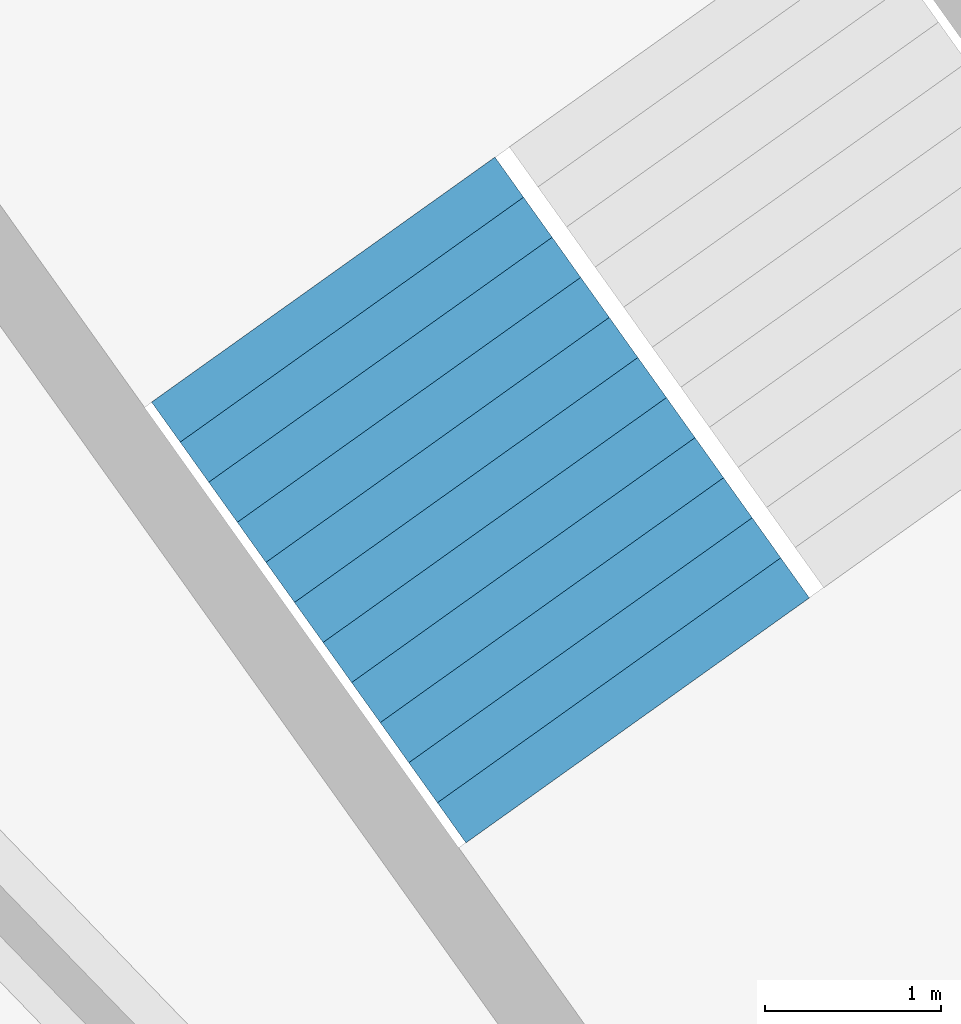
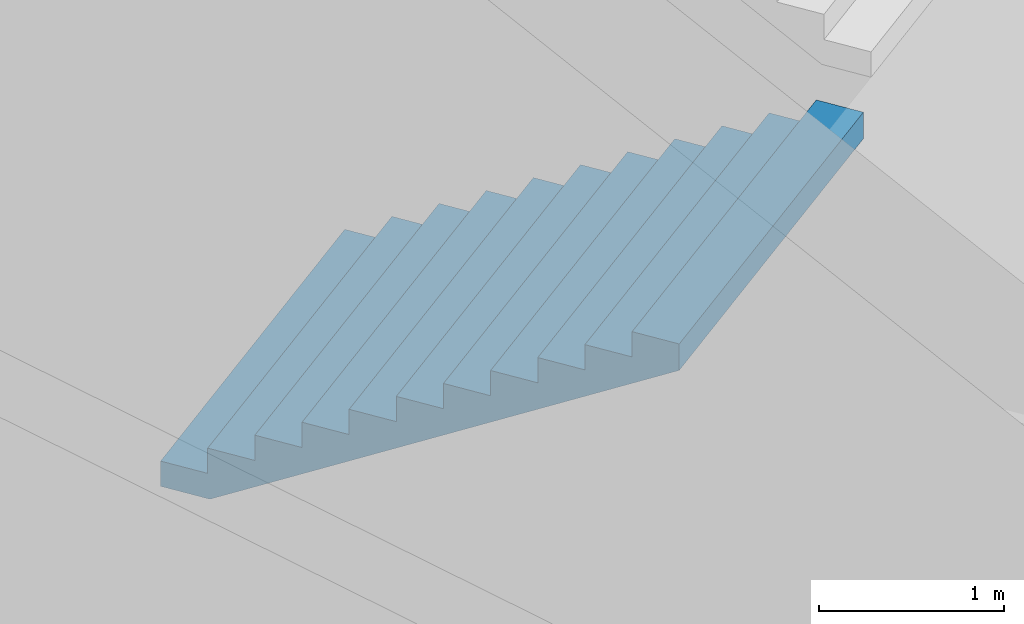
# One storey, part 42 of 74: 1 stair flight, 1 element without a shape of its own.
"""IFC4 building model written with IfcOpenShell, lengths in metres."""

from ifc_helpers import new_model, si_unit, direction, frame, origin, place, context, subcontext, project, spatial, triangles, material, type_object, element, aggregate, save


model = new_model("IFC4")

# Units and contexts
model_context = context("Model", 3, precision=1e-05, world=origin(), true_north=direction((0.0, 1.0)))
body_context = subcontext(model_context, "Body", "Model", "MODEL_VIEW")
ifc_project = project(units=[si_unit("LENGTHUNIT", "METRE"), si_unit("AREAUNIT", "SQUARE_METRE"), si_unit("VOLUMEUNIT", "CUBIC_METRE"), si_unit("PLANEANGLEUNIT", "RADIAN"), si_unit("MASSUNIT", "GRAM", prefix="KILO")], contexts=[model_context])

# Site, building, storey
site_placement = place(None, origin())
site = spatial("IfcSite", under=ifc_project, at=site_placement, CompositionType="ELEMENT")
building_placement = place(site_placement, origin())
building = spatial("IfcBuilding", under=site, at=building_placement, Name="Lantaw Convention Tower", CompositionType="ELEMENT")
storey_placement = place(building_placement, frame((0.0, 0.0, 6.5)))
storey = spatial("IfcBuildingStorey", under=building, at=storey_placement, Name="L01", CompositionType="ELEMENT", Elevation=6.5)

# Stair, stair flight
ifc_material = material(Name="Concrete C35/45", Category="concrete")
stair_type = type_object("IfcStairType", Name="Exit stair 2400 riser 166.67 in 4 flights", PredefinedType="HALF_TURN_STAIR", material=ifc_material)
stair_placement = place(storey_placement, origin())
stair = element("IfcStair", 1, at=stair_placement, inside=storey, type_object=stair_type, Name="Podium exit stair P6 L01", PredefinedType="HALF_TURN_STAIR")
stair_flight_type = type_object("IfcStairFlightType", Name="Stair flight 2400 riser 166.67", PredefinedType="STRAIGHT", material=ifc_material)
stair_flight_placement = place(storey_placement, frame((-20.794189453125, 26.999755859375, 2.0), z_axis=(0.0, 0.0, 1.0), x_axis=(0.580702955711, -0.814115518356, 0.0)))
stair_flight = element("IfcStairFlight", 2, at=stair_flight_placement, type_object=stair_flight_type, Name="P6 flight 2", NumberOfRisers=12, NumberOfTreads=11, PredefinedType="STRAIGHT", RiserHeight=0.166666667, TreadLength=0.28, context=body_context, shape_type="Tessellation", body=[
    triangles([(0.0, 1.199951171875, 0.0), (0.0, 1.199951171875, 0.166666667), (0.28, 1.199951171875, 0.0), (0.28, 1.199951171875, 0.166666667), (0.28, 1.199951171875, 0.333333334), (0.29307345806906726, 1.199951171875, 0.0), (0.29307345806906726, 1.199951171875, 0.333333334), (0.56, 1.199951171875, 0.15888484670522965), (0.56, 1.199951171875, 0.333333334), (0.56, 1.199951171875, 0.500000001), (0.8400000000000001, 1.199951171875, 0.3255515137052296), (0.8400000000000001, 1.199951171875, 0.500000001), (0.8400000000000001, 1.199951171875, 0.666666668), (1.12, 1.199951171875, 0.4922181807052296), (1.12, 1.199951171875, 0.666666668), (1.12, 1.199951171875, 0.833333335), (1.4000000000000001, 1.199951171875, 0.6588848477052296), (1.4000000000000001, 1.199951171875, 0.833333335), (1.4000000000000001, 1.199951171875, 1.000000002), (1.6800000000000002, 1.199951171875, 0.8255515147052296), (1.6800000000000002, 1.199951171875, 1.000000002), (1.6800000000000002, 1.199951171875, 1.166666669), (1.9600000000000002, 1.199951171875, 0.9922181817052296), (1.9600000000000002, 1.199951171875, 1.166666669), (1.9600000000000002, 1.199951171875, 1.333333336), (2.24, 1.199951171875, 1.1588848487052295), (2.24, 1.199951171875, 1.333333336), (2.24, 1.199951171875, 1.5000000029999998), (2.5200000000000005, 1.199951171875, 1.3255515157052296), (2.5200000000000005, 1.199951171875, 1.5000000029999998), (2.5200000000000005, 1.199951171875, 1.66666667), (2.8000000000000003, 1.199951171875, 1.4922181827052294), (2.8000000000000003, 1.199951171875, 1.66666667), (2.8000000000000003, 1.199951171875, 1.833333337), (3.08, 1.199951171875, 1.6588848497052293), (3.08, 1.199951171875, 1.833333337), (0.0, -1.199951171875, 0.0), (0.0, -1.199951171875, 0.166666667), (0.28, -1.199951171875, 0.0), (0.28, -1.199951171875, 0.166666667), (0.28, -1.199951171875, 0.333333334), (0.29307345806906726, -1.199951171875, 0.0), (0.29307345806906726, -1.199951171875, 0.333333334), (0.56, -1.199951171875, 0.15888484670522965), (0.56, -1.199951171875, 0.333333334), (0.56, -1.199951171875, 0.500000001), (0.8400000000000001, -1.199951171875, 0.3255515137052296), (0.8400000000000001, -1.199951171875, 0.500000001), (0.8400000000000001, -1.199951171875, 0.666666668), (1.12, -1.199951171875, 0.4922181807052296), (1.12, -1.199951171875, 0.666666668), (1.12, -1.199951171875, 0.833333335), (1.4000000000000001, -1.199951171875, 0.6588848477052296), (1.4000000000000001, -1.199951171875, 0.833333335), (1.4000000000000001, -1.199951171875, 1.000000002), (1.6800000000000002, -1.199951171875, 0.8255515147052296), (1.6800000000000002, -1.199951171875, 1.000000002), (1.6800000000000002, -1.199951171875, 1.166666669), (1.9600000000000002, -1.199951171875, 0.9922181817052296), (1.9600000000000002, -1.199951171875, 1.166666669), (1.9600000000000002, -1.199951171875, 1.333333336), (2.24, -1.199951171875, 1.1588848487052295), (2.24, -1.199951171875, 1.333333336), (2.24, -1.199951171875, 1.5000000029999998), (2.5200000000000005, -1.199951171875, 1.3255515157052296), (2.5200000000000005, -1.199951171875, 1.5000000029999998), (2.5200000000000005, -1.199951171875, 1.66666667), (2.8000000000000003, -1.199951171875, 1.4922181827052294), (2.8000000000000003, -1.199951171875, 1.66666667), (2.8000000000000003, -1.199951171875, 1.833333337), (3.08, -1.199951171875, 1.6588848497052293), (3.08, -1.199951171875, 1.833333337), (0.0, 0.239990234375, 0.166666667), (0.0, 0.239990234375, 0.0), (0.0, 0.1199951171875, 0.166666667), (0.0, 0.1199951171875, 0.0), (0.0, 0.0, 0.166666667), (0.0, 0.0, 0.0), (0.0, -0.1199951171875, 0.166666667), (0.0, -0.1199951171875, 0.0), (0.0, -0.239990234375, 0.166666667), (0.0, -0.239990234375, 0.0), (0.28, 0.239990234375, 0.333333334), (0.28, 0.239990234375, 0.166666667), (0.28, 0.1199951171875, 0.333333334), (0.28, 0.1199951171875, 0.166666667), (0.28, 0.0, 0.333333334), (0.28, 0.0, 0.166666667), (0.28, -0.1199951171875, 0.333333334), (0.28, -0.1199951171875, 0.166666667), (0.28, -0.239990234375, 0.333333334), (0.28, -0.239990234375, 0.166666667), (0.56, 0.239990234375, 0.500000001), (0.56, 0.239990234375, 0.333333334), (0.56, 0.1199951171875, 0.500000001), (0.56, 0.1199951171875, 0.333333334), (0.56, 0.0, 0.500000001), (0.56, 0.0, 0.333333334), (0.56, -0.1199951171875, 0.500000001), (0.56, -0.1199951171875, 0.333333334), (0.56, -0.239990234375, 0.500000001), (0.56, -0.239990234375, 0.333333334), (0.8400000000000001, 0.239990234375, 0.666666668), (0.8400000000000001, 0.239990234375, 0.500000001), (0.8400000000000001, 0.1199951171875, 0.666666668), (0.8400000000000001, 0.1199951171875, 0.500000001), (0.8400000000000001, 0.0, 0.666666668), (0.8400000000000001, 0.0, 0.500000001), (0.8400000000000001, -0.1199951171875, 0.666666668), (0.8400000000000001, -0.1199951171875, 0.500000001), (0.8400000000000001, -0.239990234375, 0.666666668), (0.8400000000000001, -0.239990234375, 0.500000001), (1.12, 0.239990234375, 0.833333335), (1.12, 0.239990234375, 0.666666668), (1.12, 0.1199951171875, 0.833333335), (1.12, 0.1199951171875, 0.666666668), (1.12, 0.0, 0.833333335), (1.12, 0.0, 0.666666668), (1.12, -0.1199951171875, 0.833333335), (1.12, -0.1199951171875, 0.666666668), (1.12, -0.239990234375, 0.833333335), (1.12, -0.239990234375, 0.666666668), (1.4000000000000001, 0.239990234375, 1.000000002), (1.4000000000000001, 0.239990234375, 0.833333335), (1.4000000000000001, 0.1199951171875, 1.000000002), (1.4000000000000001, 0.1199951171875, 0.833333335), (1.4000000000000001, 0.0, 1.000000002), (1.4000000000000001, 0.0, 0.833333335), (1.4000000000000001, -0.1199951171875, 1.000000002), (1.4000000000000001, -0.1199951171875, 0.833333335), (1.4000000000000001, -0.239990234375, 1.000000002), (1.4000000000000001, -0.239990234375, 0.833333335), (1.6800000000000002, 0.239990234375, 1.166666669), (1.6800000000000002, 0.239990234375, 1.000000002), (1.6800000000000002, 0.1199951171875, 1.166666669), (1.6800000000000002, 0.1199951171875, 1.000000002), (1.6800000000000002, 0.0, 1.166666669), (1.6800000000000002, 0.0, 1.000000002), (1.6800000000000002, -0.1199951171875, 1.166666669), (1.6800000000000002, -0.1199951171875, 1.000000002), (1.6800000000000002, -0.239990234375, 1.166666669), (1.6800000000000002, -0.239990234375, 1.000000002), (1.9600000000000002, 0.239990234375, 1.333333336), (1.9600000000000002, 0.239990234375, 1.166666669), (1.9600000000000002, 0.1199951171875, 1.333333336), (1.9600000000000002, 0.1199951171875, 1.166666669), (1.9600000000000002, 0.0, 1.333333336), (1.9600000000000002, 0.0, 1.166666669), (1.9600000000000002, -0.1199951171875, 1.333333336), (1.9600000000000002, -0.1199951171875, 1.166666669), (1.9600000000000002, -0.239990234375, 1.333333336), (1.9600000000000002, -0.239990234375, 1.166666669), (2.24, 0.239990234375, 1.5000000029999998), (2.24, 0.239990234375, 1.333333336), (2.24, 0.1199951171875, 1.5000000029999998), (2.24, 0.1199951171875, 1.333333336), (2.24, 0.0, 1.5000000029999998), (2.24, 0.0, 1.333333336), (2.24, -0.1199951171875, 1.5000000029999998), (2.24, -0.1199951171875, 1.333333336), (2.24, -0.239990234375, 1.5000000029999998), (2.24, -0.239990234375, 1.333333336), (2.5200000000000005, 0.239990234375, 1.66666667), (2.5200000000000005, 0.239990234375, 1.5000000029999998), (2.5200000000000005, 0.1199951171875, 1.66666667), (2.5200000000000005, 0.1199951171875, 1.5000000029999998), (2.5200000000000005, 0.0, 1.66666667), (2.5200000000000005, 0.0, 1.5000000029999998), (2.5200000000000005, -0.1199951171875, 1.66666667), (2.5200000000000005, -0.1199951171875, 1.5000000029999998), (2.5200000000000005, -0.239990234375, 1.66666667), (2.5200000000000005, -0.239990234375, 1.5000000029999998), (2.8000000000000003, 0.239990234375, 1.833333337), (2.8000000000000003, 0.239990234375, 1.66666667), (2.8000000000000003, 0.1199951171875, 1.833333337), (2.8000000000000003, 0.1199951171875, 1.66666667), (2.8000000000000003, 0.0, 1.833333337), (2.8000000000000003, 0.0, 1.66666667), (2.8000000000000003, -0.1199951171875, 1.833333337), (2.8000000000000003, -0.1199951171875, 1.66666667), (2.8000000000000003, -0.239990234375, 1.833333337), (2.8000000000000003, -0.239990234375, 1.66666667), (0.29307345806906726, 0.239990234375, 0.333333334), (0.29307345806906726, 0.1199951171875, 0.333333334), (0.29307345806906726, 0.0, 0.333333334), (0.29307345806906726, -0.1199951171875, 0.333333334), (0.29307345806906726, -0.239990234375, 0.333333334), (3.08, 0.239990234375, 1.833333337), (3.08, 0.1199951171875, 1.833333337), (3.08, 0.0, 1.833333337), (3.08, -0.1199951171875, 1.833333337), (3.08, -0.239990234375, 1.833333337), (3.08, 0.239990234375, 1.6588848497052293), (3.08, 0.1199951171875, 1.6588848497052293), (3.08, 0.0, 1.6588848497052293), (3.08, -0.1199951171875, 1.6588848497052293), (3.08, -0.239990234375, 1.6588848497052293), (2.8000000000000003, 0.239990234375, 1.4922181827052294), (2.8000000000000003, 0.1199951171875, 1.4922181827052294), (2.8000000000000003, 0.0, 1.4922181827052294), (2.8000000000000003, -0.1199951171875, 1.4922181827052294), (2.8000000000000003, -0.239990234375, 1.4922181827052294), (2.5200000000000005, 0.239990234375, 1.3255515157052296), (2.5200000000000005, 0.1199951171875, 1.3255515157052296), (2.5200000000000005, 0.0, 1.3255515157052296), (2.5200000000000005, -0.1199951171875, 1.3255515157052296), (2.5200000000000005, -0.239990234375, 1.3255515157052296), (2.24, 0.239990234375, 1.1588848487052295), (2.24, 0.1199951171875, 1.1588848487052295), (2.24, 0.0, 1.1588848487052295), (2.24, -0.1199951171875, 1.1588848487052295), (2.24, -0.239990234375, 1.1588848487052295), (1.9600000000000002, 0.239990234375, 0.9922181817052296), (1.9600000000000002, 0.1199951171875, 0.9922181817052296), (1.9600000000000002, 0.0, 0.9922181817052296), (1.9600000000000002, -0.1199951171875, 0.9922181817052296), (1.9600000000000002, -0.239990234375, 0.9922181817052296), (1.6800000000000002, 0.239990234375, 0.8255515147052296), (1.6800000000000002, 0.1199951171875, 0.8255515147052296), (1.6800000000000002, 0.0, 0.8255515147052296), (1.6800000000000002, -0.1199951171875, 0.8255515147052296), (1.6800000000000002, -0.239990234375, 0.8255515147052296), (1.4000000000000001, 0.239990234375, 0.6588848477052296), (1.4000000000000001, 0.1199951171875, 0.6588848477052296), (1.4000000000000001, 0.0, 0.6588848477052296), (1.4000000000000001, -0.1199951171875, 0.6588848477052296), (1.4000000000000001, -0.239990234375, 0.6588848477052296), (1.12, 0.239990234375, 0.4922181807052296), (1.12, 0.1199951171875, 0.4922181807052296), (1.12, 0.0, 0.4922181807052296), (1.12, -0.1199951171875, 0.4922181807052296), (1.12, -0.239990234375, 0.4922181807052296), (0.8400000000000001, 0.239990234375, 0.3255515137052296), (0.8400000000000001, 0.1199951171875, 0.3255515137052296), (0.8400000000000001, 0.0, 0.3255515137052296), (0.8400000000000001, -0.1199951171875, 0.3255515137052296), (0.8400000000000001, -0.239990234375, 0.3255515137052296), (0.56, 0.239990234375, 0.15888484670522965), (0.56, 0.1199951171875, 0.15888484670522965), (0.56, 0.0, 0.15888484670522965), (0.56, -0.1199951171875, 0.15888484670522965), (0.56, -0.239990234375, 0.15888484670522965), (0.29307345806906726, 0.239990234375, 0.0), (0.29307345806906726, 0.1199951171875, 0.0), (0.29307345806906726, 0.0, 0.0), (0.29307345806906726, -0.1199951171875, 0.0), (0.29307345806906726, -0.239990234375, 0.0), (0.28, 0.239990234375, 0.0), (0.28, 0.1199951171875, 0.0), (0.28, 0.0, 0.0), (0.28, -0.1199951171875, 0.0), (0.28, -0.239990234375, 0.0)], [[1, 4, 3], [1, 2, 4], [3, 4, 6], [4, 7, 6], [4, 5, 7], [6, 9, 8], [6, 7, 9], [8, 9, 11], [9, 12, 11], [9, 10, 12], [11, 12, 14], [12, 15, 14], [12, 13, 15], [14, 15, 17], [15, 18, 17], [15, 16, 18], [17, 18, 20], [18, 21, 20], [18, 19, 21], [20, 21, 23], [21, 24, 23], [21, 22, 24], [23, 24, 26], [24, 27, 26], [24, 25, 27], [26, 27, 29], [27, 30, 29], [27, 28, 30], [29, 30, 32], [30, 33, 32], [30, 31, 33], [32, 33, 35], [33, 36, 35], [33, 34, 36], [37, 39, 40], [37, 40, 38], [39, 42, 40], [40, 42, 43], [40, 43, 41], [42, 44, 45], [42, 45, 43], [44, 47, 45], [45, 47, 48], [45, 48, 46], [47, 50, 48], [48, 50, 51], [48, 51, 49], [50, 53, 51], [51, 53, 54], [51, 54, 52], [53, 56, 54], [54, 56, 57], [54, 57, 55], [56, 59, 57], [57, 59, 60], [57, 60, 58], [59, 62, 60], [60, 62, 63], [60, 63, 61], [62, 65, 63], [63, 65, 66], [63, 66, 64], [65, 68, 66], [66, 68, 69], [66, 69, 67], [68, 71, 69], [69, 71, 72], [69, 72, 70], [1, 73, 2], [1, 74, 73], [74, 75, 73], [74, 76, 75], [76, 77, 75], [76, 78, 77], [78, 79, 77], [78, 80, 79], [80, 81, 79], [80, 82, 81], [82, 38, 81], [82, 37, 38], [4, 83, 5], [4, 84, 83], [84, 85, 83], [84, 86, 85], [86, 87, 85], [86, 88, 87], [88, 89, 87], [88, 90, 89], [90, 91, 89], [90, 92, 91], [92, 41, 91], [92, 40, 41], [9, 93, 10], [9, 94, 93], [94, 95, 93], [94, 96, 95], [96, 97, 95], [96, 98, 97], [98, 99, 97], [98, 100, 99], [100, 101, 99], [100, 102, 101], [102, 46, 101], [102, 45, 46], [12, 103, 13], [12, 104, 103], [104, 105, 103], [104, 106, 105], [106, 107, 105], [106, 108, 107], [108, 109, 107], [108, 110, 109], [110, 111, 109], [110, 112, 111], [112, 49, 111], [112, 48, 49], [15, 113, 16], [15, 114, 113], [114, 115, 113], [114, 116, 115], [116, 117, 115], [116, 118, 117], [118, 119, 117], [118, 120, 119], [120, 121, 119], [120, 122, 121], [122, 52, 121], [122, 51, 52], [18, 123, 19], [18, 124, 123], [124, 125, 123], [124, 126, 125], [126, 127, 125], [126, 128, 127], [128, 129, 127], [128, 130, 129], [130, 131, 129], [130, 132, 131], [132, 55, 131], [132, 54, 55], [21, 133, 22], [21, 134, 133], [134, 135, 133], [134, 136, 135], [136, 137, 135], [136, 138, 137], [138, 139, 137], [138, 140, 139], [140, 141, 139], [140, 142, 141], [142, 58, 141], [142, 57, 58], [24, 143, 25], [24, 144, 143], [144, 145, 143], [144, 146, 145], [146, 147, 145], [146, 148, 147], [148, 149, 147], [148, 150, 149], [150, 151, 149], [150, 152, 151], [152, 61, 151], [152, 60, 61], [27, 153, 28], [27, 154, 153], [154, 155, 153], [154, 156, 155], [156, 157, 155], [156, 158, 157], [158, 159, 157], [158, 160, 159], [160, 161, 159], [160, 162, 161], [162, 64, 161], [162, 63, 64], [30, 163, 31], [30, 164, 163], [164, 165, 163], [164, 166, 165], [166, 167, 165], [166, 168, 167], [168, 169, 167], [168, 170, 169], [170, 171, 169], [170, 172, 171], [172, 67, 171], [172, 66, 67], [33, 173, 34], [33, 174, 173], [174, 175, 173], [174, 176, 175], [176, 177, 175], [176, 178, 177], [178, 179, 177], [178, 180, 179], [180, 181, 179], [180, 182, 181], [182, 70, 181], [182, 69, 70], [2, 84, 4], [2, 73, 84], [73, 86, 84], [73, 75, 86], [75, 88, 86], [75, 77, 88], [77, 90, 88], [77, 79, 90], [79, 92, 90], [79, 81, 92], [81, 40, 92], [81, 38, 40], [5, 183, 7], [5, 83, 183], [83, 184, 183], [83, 85, 184], [85, 185, 184], [85, 87, 185], [87, 186, 185], [87, 89, 186], [89, 187, 186], [89, 91, 187], [91, 43, 187], [91, 41, 43], [7, 94, 9], [7, 183, 94], [183, 96, 94], [183, 184, 96], [184, 98, 96], [184, 185, 98], [185, 100, 98], [185, 186, 100], [186, 102, 100], [186, 187, 102], [187, 45, 102], [187, 43, 45], [10, 104, 12], [10, 93, 104], [93, 106, 104], [93, 95, 106], [95, 108, 106], [95, 97, 108], [97, 110, 108], [97, 99, 110], [99, 112, 110], [99, 101, 112], [101, 48, 112], [101, 46, 48], [13, 114, 15], [13, 103, 114], [103, 116, 114], [103, 105, 116], [105, 118, 116], [105, 107, 118], [107, 120, 118], [107, 109, 120], [109, 122, 120], [109, 111, 122], [111, 51, 122], [111, 49, 51], [16, 124, 18], [16, 113, 124], [113, 126, 124], [113, 115, 126], [115, 128, 126], [115, 117, 128], [117, 130, 128], [117, 119, 130], [119, 132, 130], [119, 121, 132], [121, 54, 132], [121, 52, 54], [19, 134, 21], [19, 123, 134], [123, 136, 134], [123, 125, 136], [125, 138, 136], [125, 127, 138], [127, 140, 138], [127, 129, 140], [129, 142, 140], [129, 131, 142], [131, 57, 142], [131, 55, 57], [22, 144, 24], [22, 133, 144], [133, 146, 144], [133, 135, 146], [135, 148, 146], [135, 137, 148], [137, 150, 148], [137, 139, 150], [139, 152, 150], [139, 141, 152], [141, 60, 152], [141, 58, 60], [25, 154, 27], [25, 143, 154], [143, 156, 154], [143, 145, 156], [145, 158, 156], [145, 147, 158], [147, 160, 158], [147, 149, 160], [149, 162, 160], [149, 151, 162], [151, 63, 162], [151, 61, 63], [28, 164, 30], [28, 153, 164], [153, 166, 164], [153, 155, 166], [155, 168, 166], [155, 157, 168], [157, 170, 168], [157, 159, 170], [159, 172, 170], [159, 161, 172], [161, 66, 172], [161, 64, 66], [31, 174, 33], [31, 163, 174], [163, 176, 174], [163, 165, 176], [165, 178, 176], [165, 167, 178], [167, 180, 178], [167, 169, 180], [169, 182, 180], [169, 171, 182], [171, 69, 182], [171, 67, 69], [34, 188, 36], [34, 173, 188], [173, 189, 188], [173, 175, 189], [175, 190, 189], [175, 177, 190], [177, 191, 190], [177, 179, 191], [179, 192, 191], [179, 181, 192], [181, 72, 192], [181, 70, 72], [36, 193, 35], [36, 188, 193], [188, 194, 193], [188, 189, 194], [189, 195, 194], [189, 190, 195], [190, 196, 195], [190, 191, 196], [191, 197, 196], [191, 192, 197], [192, 71, 197], [192, 72, 71], [35, 198, 32], [35, 193, 198], [193, 199, 198], [193, 194, 199], [194, 200, 199], [194, 195, 200], [195, 201, 200], [195, 196, 201], [196, 202, 201], [196, 197, 202], [197, 68, 202], [197, 71, 68], [32, 203, 29], [32, 198, 203], [198, 204, 203], [198, 199, 204], [199, 205, 204], [199, 200, 205], [200, 206, 205], [200, 201, 206], [201, 207, 206], [201, 202, 207], [202, 65, 207], [202, 68, 65], [29, 208, 26], [29, 203, 208], [203, 209, 208], [203, 204, 209], [204, 210, 209], [204, 205, 210], [205, 211, 210], [205, 206, 211], [206, 212, 211], [206, 207, 212], [207, 62, 212], [207, 65, 62], [26, 213, 23], [26, 208, 213], [208, 214, 213], [208, 209, 214], [209, 215, 214], [209, 210, 215], [210, 216, 215], [210, 211, 216], [211, 217, 216], [211, 212, 217], [212, 59, 217], [212, 62, 59], [23, 218, 20], [23, 213, 218], [213, 219, 218], [213, 214, 219], [214, 220, 219], [214, 215, 220], [215, 221, 220], [215, 216, 221], [216, 222, 221], [216, 217, 222], [217, 56, 222], [217, 59, 56], [20, 223, 17], [20, 218, 223], [218, 224, 223], [218, 219, 224], [219, 225, 224], [219, 220, 225], [220, 226, 225], [220, 221, 226], [221, 227, 226], [221, 222, 227], [222, 53, 227], [222, 56, 53], [17, 228, 14], [17, 223, 228], [223, 229, 228], [223, 224, 229], [224, 230, 229], [224, 225, 230], [225, 231, 230], [225, 226, 231], [226, 232, 231], [226, 227, 232], [227, 50, 232], [227, 53, 50], [14, 233, 11], [14, 228, 233], [228, 234, 233], [228, 229, 234], [229, 235, 234], [229, 230, 235], [230, 236, 235], [230, 231, 236], [231, 237, 236], [231, 232, 237], [232, 47, 237], [232, 50, 47], [11, 238, 8], [11, 233, 238], [233, 239, 238], [233, 234, 239], [234, 240, 239], [234, 235, 240], [235, 241, 240], [235, 236, 241], [236, 242, 241], [236, 237, 242], [237, 44, 242], [237, 47, 44], [8, 243, 6], [8, 238, 243], [238, 244, 243], [238, 239, 244], [239, 245, 244], [239, 240, 245], [240, 246, 245], [240, 241, 246], [241, 247, 246], [241, 242, 247], [242, 42, 247], [242, 44, 42], [6, 248, 3], [6, 243, 248], [243, 249, 248], [243, 244, 249], [244, 250, 249], [244, 245, 250], [245, 251, 250], [245, 246, 251], [246, 252, 251], [246, 247, 252], [247, 39, 252], [247, 42, 39], [3, 74, 1], [3, 248, 74], [248, 76, 74], [248, 249, 76], [249, 78, 76], [249, 250, 78], [250, 80, 78], [250, 251, 80], [251, 82, 80], [251, 252, 82], [252, 37, 82], [252, 39, 37]], closed=True),
])
aggregate(stair, [stair_flight])

save(model, "model.ifc")
